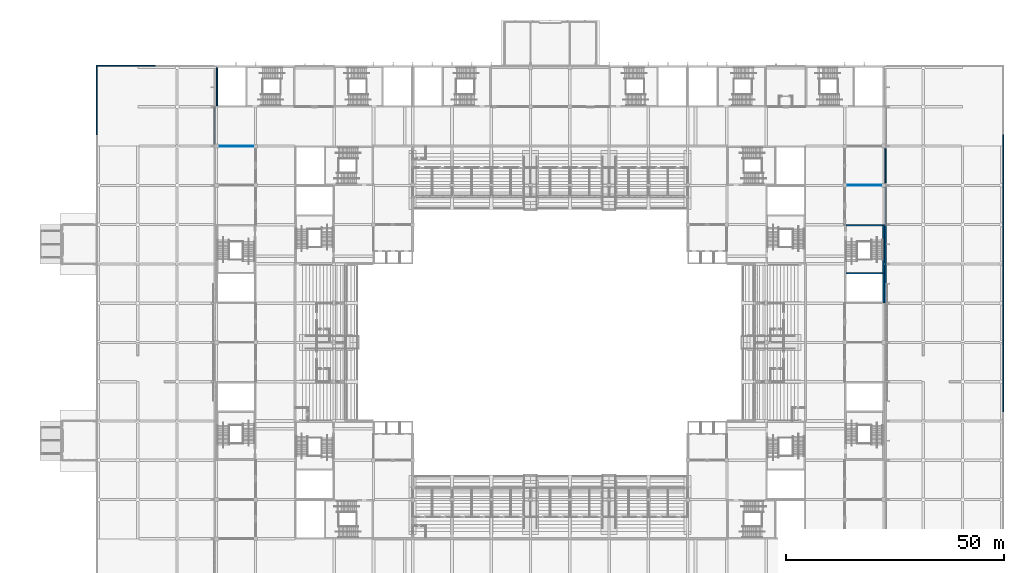
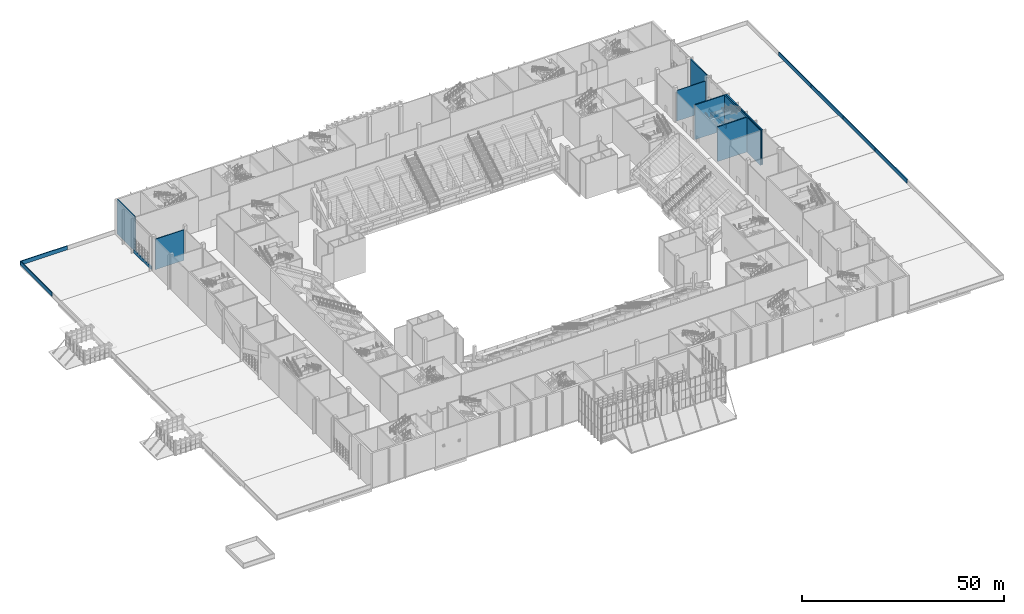
# One storey, part 92 of 182: 17 walls.
"""IFC4 building model written with IfcOpenShell, lengths in metres."""

from ifc_helpers import new_model, si_unit, direction, frame, frame_2d, origin, place, context, subcontext, project, spatial, rectangle, extrude, material, layer, layer_set, type_object, element, save


model = new_model("IFC4")

# Units and contexts
model_context = context("Model", 3, precision=1e-05, world=origin(), true_north=direction((0.0, 1.0)))
body_context = subcontext(model_context, "Body", "Model", "MODEL_VIEW")
ifc_project = project(units=[si_unit("LENGTHUNIT", "METRE"), si_unit("AREAUNIT", "SQUARE_METRE"), si_unit("VOLUMEUNIT", "CUBIC_METRE"), si_unit("PLANEANGLEUNIT", "RADIAN"), si_unit("MASSUNIT", "GRAM", prefix="KILO")], contexts=[model_context])

# Site, building, storey
site_placement = place(None, origin())
site = spatial("IfcSite", under=ifc_project, at=site_placement, CompositionType="ELEMENT")
building_placement = place(site_placement, origin())
building = spatial("IfcBuilding", under=site, at=building_placement, Name="Silverbay Arena", CompositionType="ELEMENT")
storey_placement = place(building_placement, frame((0.0, 0.0, 11.5)))
storey = spatial("IfcBuildingStorey", under=building, at=storey_placement, Name="L02", CompositionType="ELEMENT", Elevation=11.5)

# Walls
ifc_material_1 = material(Name="Concrete Grade C45 precast, light finish", Category="concrete")
ifc_layer_1 = layer(ifc_material_1, 0.300048828125)
ifc_layer_set_1 = layer_set([ifc_layer_1], Name="Concrete Grade C45 precast, light finish")
wall_type_1 = type_object("IfcWallType", Name="Cladded external wall 300", PredefinedType="SOLIDWALL", material=ifc_layer_set_1)
wall_1_placement = place(storey_placement, frame((207.35009765625, 108.0, 0.0), z_axis=(0.0, 0.0, 1.0), x_axis=(0.0, 1.0, 0.0)))
element("IfcWall", 1, at=wall_1_placement, inside=storey, type_object=wall_type_1, Name="East sill wall L02 bay 11", PredefinedType="SOLIDWALL", context=body_context, shape_type="SweptSolid", body=[
    extrude(rectangle(XDim=8.550048828125, YDim=0.300048828125, at=frame_2d((4.27490234375, 0.0))), origin(), (0.0, 0.0, 1.0), 1.0),
])
wall_2_placement = place(storey_placement, frame((207.35009765625, 117.449951171875, 0.0), z_axis=(0.0, 0.0, 1.0), x_axis=(0.0, 1.0, 0.0)))
element("IfcWall", 2, at=wall_2_placement, inside=storey, type_object=wall_type_1, Name="East external wall L02 bay 12", PredefinedType="SOLIDWALL", context=body_context, shape_type="SweptSolid", body=[
    extrude(rectangle(XDim=8.10009765625, YDim=0.300048828125, at=frame_2d((4.050048828125, 0.0))), origin(), (0.0, 0.0, 1.0), 10.5),
])
wall_3_placement = place(storey_placement, frame((53.64990234375, 135.0, 0.0), z_axis=(0.0, 0.0, 1.0), x_axis=(0.0, -1.0, 0.0)))
element("IfcWall", 3, at=wall_3_placement, inside=storey, type_object=wall_type_1, Name="West sill wall L02 bay 13", PredefinedType="SOLIDWALL", context=body_context, shape_type="SweptSolid", body=[
    extrude(rectangle(XDim=8.550048828125, YDim=0.300048828125, at=frame_2d((4.27490234375, 0.0))), origin(), (0.0, 0.0, 1.0), 1.0),
])
ifc_material_2 = material(Name="Concrete Grade C45", Category="concrete")
ifc_layer_2 = layer(ifc_material_2, 0.300048828125)
ifc_layer_set_2 = layer_set([ifc_layer_2], Name="Concrete Grade C45")
wall_type_2 = type_object("IfcWallType", Name="Core wall RC 300 EI 120", PredefinedType="SHEAR", material=ifc_layer_set_2)
wall_4_placement = place(storey_placement, frame((54.14990234375, 135.300048828125, 0.0), z_axis=(0.0, 0.0, 1.0), x_axis=(0.0, 1.0, 0.0)))
element("IfcWall", 4, at=wall_4_placement, inside=storey, type_object=wall_type_2, Name="Core wall ST-N5 L02 end 2", PredefinedType="SHEAR", context=body_context, shape_type="SweptSolid", body=[
    extrude(rectangle(XDim=8.699951171875, YDim=0.300048828125, at=frame_2d((4.35009765625, 0.0))), origin(), (0.0, 0.0, 1.0), 10.5),
])
wall_5_placement = place(storey_placement, frame((206.85009765625, 108.0, 0.0), z_axis=(0.0, 0.0, 1.0), x_axis=(0.0, -1.0, 0.0)))
element("IfcWall", 5, at=wall_5_placement, inside=storey, type_object=wall_type_2, Name="Core wall ST-E2 L02 far side", PredefinedType="SHEAR", context=body_context, shape_type="SweptSolid", body=[
    extrude(rectangle(XDim=18.0, YDim=0.300048828125, at=frame_2d((9.0, 0.0))), origin(), (0.0, 0.0, 1.0), 10.5),
])
for number, where, z_axis, x_axis, name in (
    (6, (198.300048828125, 107.85009765625, 0.0), (0.0, 0.0, 1.0), (1.0, 0.0, 0.0), "Core wall ST-E2 L02 end 1"),
    (7, (198.300048828125, 96.85009765625, 0.0), (0.0, 0.0, 1.0), (1.0, 0.0, 0.0), "Core wall ST-E2 L02 stair enclosure"),
):
    element("IfcWall", number, at=place(storey_placement, frame(where, z_axis=z_axis, x_axis=x_axis)), inside=storey, type_object=wall_type_2, Name=name, PredefinedType="SHEAR", context=body_context, shape_type="SweptSolid", body=[
        extrude(rectangle(XDim=8.39990234375, YDim=0.300048828125, at=frame_2d((4.199951171875, 0.0))), origin(), (0.0, 0.0, 1.0), 10.5),
    ])
ifc_material_3 = material(Name="Concrete Grade C45", Category="concrete")
ifc_layer_3 = layer(ifc_material_3, 0.25)
ifc_layer_set_3 = layer_set([ifc_layer_3], Name="Concrete Grade C45")
wall_type_3 = type_object("IfcWallType", Name="Parapet wall 250", PredefinedType="PARAPET", material=ifc_layer_set_3)
wall_6_placement = place(storey_placement, frame((40.0, 144.375, 0.0), z_axis=(0.0, 0.0, 1.0), x_axis=(-1.0, 0.0, 0.0)))
element("IfcWall", 8, at=wall_6_placement, inside=storey, type_object=wall_type_3, Name="West wing parapet 4", PredefinedType="PARAPET", context=body_context, shape_type="SweptSolid", body=[
    extrude(rectangle(XDim=13.5, YDim=0.25, at=frame_2d((6.75, 0.0))), origin(), (0.0, 0.0, 1.0), 1.199951171875),
])
wall_7_placement = place(storey_placement, frame((26.625, 144.25, 0.0), z_axis=(0.0, 0.0, 1.0), x_axis=(0.0, -1.0, 0.0)))
element("IfcWall", 9, at=wall_7_placement, inside=storey, type_object=wall_type_3, Name="West wing parapet 5", PredefinedType="PARAPET", context=body_context, shape_type="SweptSolid", body=[
    extrude(rectangle(XDim=15.625, YDim=0.25, at=frame_2d((7.8125, 0.0))), origin(), (0.0, 0.0, 1.0), 1.199951171875),
])
for number, where, z_axis, x_axis, name in (
    (10, (234.375, 65.125, 0.0), (0.0, 0.0, 1.0), (0.0, 1.0, 0.0), "East wing parapet 6"),
    (11, (234.375, 81.0, 0.0), (0.0, 0.0, 1.0), (0.0, 1.0, 0.0), "East wing parapet 7"),
    (12, (234.375, 96.875, 0.0), (0.0, 0.0, 1.0), (0.0, 1.0, 0.0), "East wing parapet 8"),
    (13, (234.375, 112.75, 0.0), (0.0, 0.0, 1.0), (0.0, 1.0, 0.0), "East wing parapet 9"),
):
    element("IfcWall", number, at=place(storey_placement, frame(where, z_axis=z_axis, x_axis=x_axis)), inside=storey, type_object=wall_type_3, Name=name, PredefinedType="PARAPET", context=body_context, shape_type="SweptSolid", body=[
        extrude(rectangle(XDim=15.875, YDim=0.25, at=frame_2d((7.9375, 0.0))), origin(), (0.0, 0.0, 1.0), 1.199951171875),
    ])
ifc_material_4 = material(Name="Masonry blockwork partition", Category="masonry")
ifc_layer_4 = layer(ifc_material_4, 0.199951171875)
ifc_layer_set_4 = layer_set([ifc_layer_4], Name="Masonry blockwork partition")
wall_type_4 = type_object("IfcWallType", Name="Partition 200 EI 120", PredefinedType="PARTITIONING", material=ifc_layer_set_4)
wall_8_placement = place(storey_placement, frame((198.39990234375, 117.0, 0.0), z_axis=(0.0, 0.0, 1.0), x_axis=(1.0, 0.0, 0.0)))
element("IfcWall", 14, at=wall_8_placement, inside=storey, type_object=wall_type_4, Name="Partition wall", PredefinedType="PARTITIONING", context=body_context, shape_type="SweptSolid", body=[
    extrude(rectangle(XDim=8.150146484375, YDim=0.199951171875, at=frame_2d((4.0751953125, 0.0))), origin(), (0.0, 0.0, 1.0), 9.25),
])
ifc_material_5 = material(Name="Gypsum board partition on steel studs", Category="steel")
ifc_layer_5 = layer(ifc_material_5, 0.199951171875)
ifc_layer_set_5 = layer_set([ifc_layer_5], Name="Gypsum board partition on steel studs")
wall_type_5 = type_object("IfcWallType", Name="Partition 200 EI 60", PredefinedType="PARTITIONING", material=ifc_layer_set_5)
wall_9_placement = place(storey_placement, frame((54.449951171875, 126.0, 0.0), z_axis=(0.0, 0.0, 1.0), x_axis=(1.0, 0.0, 0.0)))
element("IfcWall", 15, at=wall_9_placement, inside=storey, type_object=wall_type_5, Name="Partition wall", PredefinedType="PARTITIONING", context=body_context, shape_type="SweptSolid", body=[
    extrude(rectangle(XDim=8.150146484375, YDim=0.199951171875, at=frame_2d((4.0751953125, 0.0))), origin(), (0.0, 0.0, 1.0), 9.25),
])
ifc_material_6 = material(Name="Concrete Grade C45", Category="concrete")
ifc_layer_6 = layer(ifc_material_6, 0.35009765625)
ifc_layer_set_6 = layer_set([ifc_layer_6], Name="Concrete Grade C45")
wall_type_6 = type_object("IfcWallType", Name="Stair core facade wall 350", PredefinedType="SOLIDWALL", material=ifc_layer_set_6)
for number, where, z_axis, x_axis, name in (
    (16, (207.324951171875, 90.0, 0.0), (0.0, 0.0, 1.0), (0.0, 1.0, 0.0), "East external wall L02 bay 9"),
    (17, (207.324951171875, 99.0, 0.0), (0.0, 0.0, 1.0), (0.0, 1.0, 0.0), "East external wall L02 bay 10"),
):
    element("IfcWall", number, at=place(storey_placement, frame(where, z_axis=z_axis, x_axis=x_axis)), inside=storey, type_object=wall_type_6, Name=name, PredefinedType="SOLIDWALL", context=body_context, shape_type="SweptSolid", body=[
        extrude(rectangle(XDim=9.0, YDim=0.35009765625, at=frame_2d((4.5, 0.0))), origin(), (0.0, 0.0, 1.0), 10.5),
    ])

save(model, "model.ifc")
